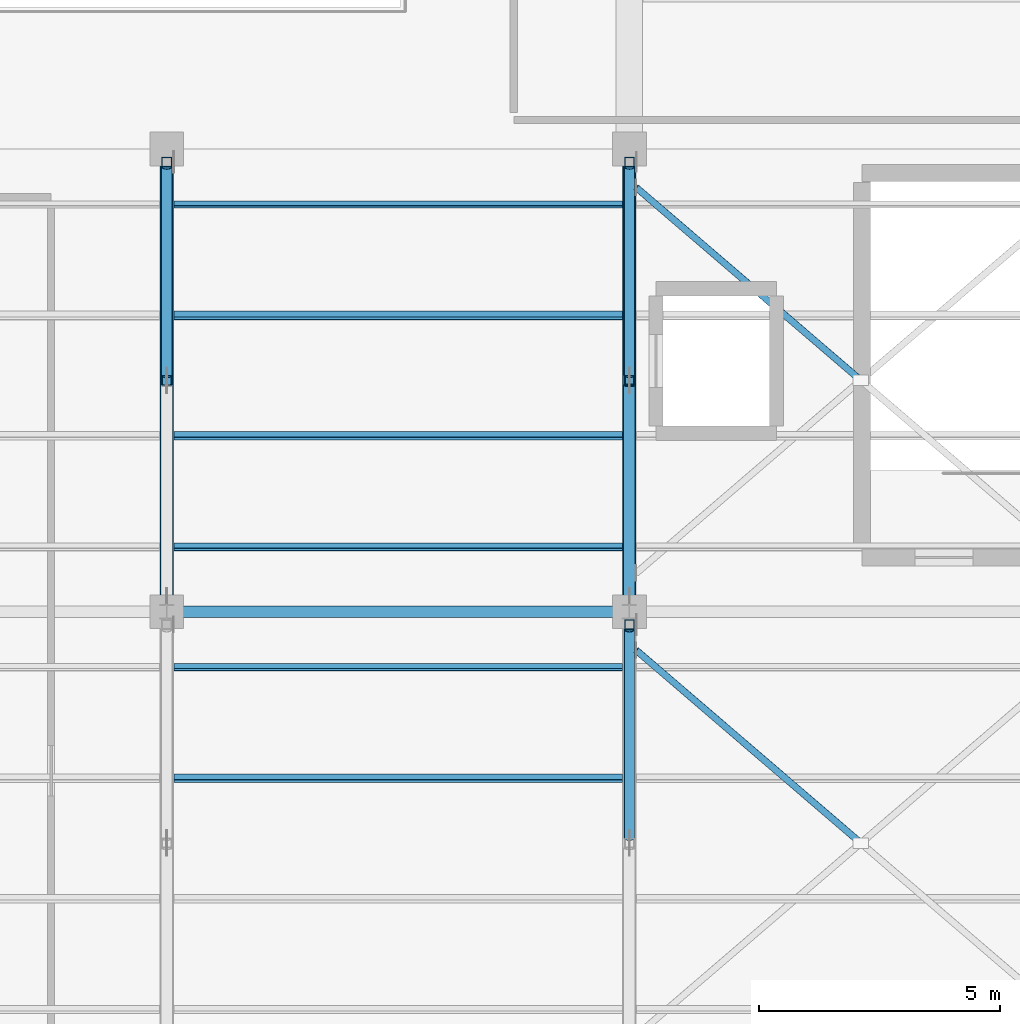
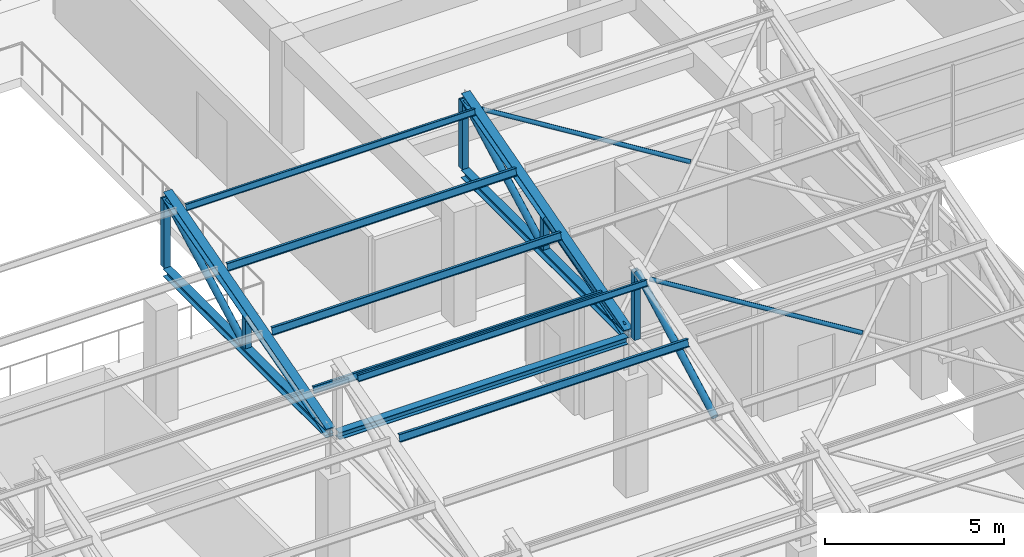
# One storey, part 24 of 71: 21 members, 1 beam.
"""IFC4 building model written with IfcOpenShell, lengths in metres."""

from ifc_helpers import new_model, si_unit, direction, frame, origin, origin_2d, place, context, subcontext, project, spatial, hollow_rectangle, hollow_circle, i_section, extrude, material, material_profile, profile_set, type_object, element, save


model = new_model("IFC4")

# Units and contexts
model_context = context("Model", 3, precision=1e-05, world=origin(), true_north=direction((0.0, 1.0)))
body_context = subcontext(model_context, "Body", "Model", "MODEL_VIEW")
ifc_project = project(units=[si_unit("LENGTHUNIT", "METRE"), si_unit("AREAUNIT", "SQUARE_METRE"), si_unit("VOLUMEUNIT", "CUBIC_METRE"), si_unit("PLANEANGLEUNIT", "RADIAN"), si_unit("MASSUNIT", "GRAM", prefix="KILO")], contexts=[model_context])

# Site, building, storey
site_placement = place(None, origin())
site = spatial("IfcSite", under=ifc_project, at=site_placement, CompositionType="ELEMENT")
building_placement = place(site_placement, origin())
building = spatial("IfcBuilding", under=site, at=building_placement, Name="Bempovik Park Faculty of Sciences", CompositionType="ELEMENT")
storey_placement = place(building_placement, frame((0.0, 0.0, 14.10009765625)))
storey = spatial("IfcBuildingStorey", under=building, at=storey_placement, Name="L03", CompositionType="ELEMENT", Elevation=14.10009765625)

# Beam
ifc_material = material(Name="Steel S355", Category="steel")
ifc_material_profile_1 = material_profile(ifc_material, i_section(OverallWidth=0.239990234375, OverallDepth=0.239990234375, WebThickness=0.010009765625, FlangeThickness=0.01708984375, at=origin_2d()), Name="HEB 240")
ifc_profile_set_1 = profile_set([ifc_material_profile_1], Name="Steel S355")
beam_type = type_object("IfcBeamType", Name="B-042 HEB 240", PredefinedType="BEAM", material=ifc_profile_set_1)
beam_placement = place(storey_placement, frame((98.550048828125, 58.199951171875, 5.14990234375), z_axis=(1.0, 0.0, 0.0), x_axis=(0.0, 1.0, 0.0)))
element("IfcBeam", 1, at=beam_placement, inside=storey, type_object=beam_type, Name="Sawtooth Valley Tie Beam V1-B5 (98.4-108.0)", PredefinedType="BEAM", context=body_context, shape_type="SweptSolid", body=[
    extrude(i_section(OverallWidth=0.239990234375, OverallDepth=0.239990234375, WebThickness=0.010009765625, FlangeThickness=0.01708984375, at=origin_2d()), origin(), (0.0, 0.0, 1.0), 9.300048828125),
])

# Members
ifc_material_profile_2 = material_profile(ifc_material, i_section(OverallWidth=0.110107421875, OverallDepth=0.219970703125, WebThickness=0.005859375, FlangeThickness=0.00927734375, at=origin_2d()), Name="IPE 220")
ifc_profile_set_2 = profile_set([ifc_material_profile_2], Name="Steel S355")
member_type_1 = type_object("IfcMemberType", Name="M-18 IPE 220", PredefinedType="PURLIN", material=ifc_profile_set_2)
member_1_placement = place(storey_placement, frame((98.5458984375, 59.5439453125, 5.847412109375), z_axis=(1.0, 0.0, 0.0), x_axis=(0.0, 0.965925826289, -0.258819045103)))
element("IfcMember", 2, at=member_1_placement, inside=storey, type_object=member_type_1, Name="Sawtooth Roof Purlin V1-B5 (98.4-108.0) #1", PredefinedType="PURLIN", context=body_context, shape_type="SweptSolid", body=[
    extrude(i_section(OverallWidth=0.110107421875, OverallDepth=0.219970703125, WebThickness=0.005859375, FlangeThickness=0.00927734375, at=origin_2d()), origin(), (0.0, 0.0, 1.0), 9.30810546875),
])
ifc_material_profile_3 = material_profile(ifc_material, hollow_circle(Radius=0.109619140625, WallThickness=0.010009765625, at=origin_2d()), Name="CHS 219.1x10")
ifc_profile_set_3 = profile_set([ifc_material_profile_3], Name="Steel S355")
member_type_2 = type_object("IfcMemberType", Name="M-22 CHS 219.1x10", PredefinedType="BRACE", material=ifc_profile_set_3)
member_2_placement = place(storey_placement, frame((108.0, 53.5048828125, 5.285888671875), z_axis=(0.0, 0.882198506662, 0.470877685651), x_axis=(-1.0, 0.0, 0.0)))
element("IfcMember", 3, at=member_2_placement, inside=storey, type_object=member_type_2, Name="Sawtooth Web Diagonal 2 V1-B4 (108.0)", PredefinedType="BRACE", context=body_context, shape_type="SweptSolid", body=[
    extrude(hollow_circle(Radius=0.109619140625, WallThickness=0.010009765625, at=origin_2d()), origin(), (0.0, 0.0, 1.0), 4.90283203125),
])
for number, where, z_axis, x_axis, name in (
    (4, (98.39990234375, 63.10498046875, 5.285888671875), (0.0, 0.882187464719, 0.470898372361), (-1.0, 0.0, 0.0), "Sawtooth Web Diagonal 2 V1-B5 (98.4)"),
    (5, (108.0, 63.10498046875, 5.285888671875), (0.0, 0.882187464719, 0.470898372361), (-1.0, 0.0, 0.0), "Sawtooth Web Diagonal 2 V1-B5 (108.0)"),
):
    element("IfcMember", number, at=place(storey_placement, frame(where, z_axis=z_axis, x_axis=x_axis)), inside=storey, type_object=member_type_2, Name=name, PredefinedType="BRACE", context=body_context, shape_type="SweptSolid", body=[
        extrude(hollow_circle(Radius=0.109619140625, WallThickness=0.010009765625, at=origin_2d()), origin(), (0.0, 0.0, 1.0), 4.902587890625),
    ])
ifc_material_profile_4 = material_profile(ifc_material, i_section(OverallWidth=0.280029296875, OverallDepth=0.280029296875, WebThickness=0.010498046875, FlangeThickness=0.01806640625, at=origin_2d()), Name="HEB 280")
ifc_profile_set_4 = profile_set([ifc_material_profile_4], Name="Steel S355")
member_type_3 = type_object("IfcMemberType", Name="M-26 HEB 280", PredefinedType="CHORD", material=ifc_profile_set_4)
for number, where, z_axis, x_axis, name in (
    (6, (98.39990234375, 58.35595703125, 5.212158203125), (0.0, 0.962201828539, 0.272337366434), (-1.0, 0.0, 0.0), "Sawtooth Top Rafter Chord V1-B5 (98.4)"),
    (7, (108.0, 58.35595703125, 5.212158203125), (0.0, 0.962201828539, 0.272337366434), (-1.0, 0.0, 0.0), "Sawtooth Top Rafter Chord V1-B5 (108.0)"),
):
    element("IfcMember", number, at=place(storey_placement, frame(where, z_axis=z_axis, x_axis=x_axis)), inside=storey, type_object=member_type_3, Name=name, PredefinedType="CHORD", context=body_context, shape_type="SweptSolid", body=[
        extrude(i_section(OverallWidth=0.280029296875, OverallDepth=0.280029296875, WebThickness=0.010498046875, FlangeThickness=0.01806640625, at=origin_2d()), origin(), (0.0, 0.0, 1.0), 9.445068359375),
    ])
ifc_material_profile_5 = material_profile(ifc_material, hollow_rectangle(XDim=0.199951171875, YDim=0.199951171875, WallThickness=0.010009765625, at=origin_2d()), Name="SHS 200x200x10")
ifc_profile_set_5 = profile_set([ifc_material_profile_5], Name="Steel S355")
member_type_4 = type_object("IfcMemberType", Name="M-44 SHS 200x200x10", PredefinedType="POST", material=ifc_profile_set_5)
for number, where, z_axis, x_axis, name in (
    (8, (108.0, 57.929931640625, 5.285888671875), (0.0, 0.0, 1.0), (1.0, 0.0, 0.0), "Sawtooth North-Light Post V1-B4 (108.0)"),
    (9, (98.39990234375, 67.530029296875, 5.285888671875), (0.0, 0.0, 1.0), (1.0, 0.0, 0.0), "Sawtooth North-Light Post V1-B5 (98.4)"),
):
    element("IfcMember", number, at=place(storey_placement, frame(where, z_axis=z_axis, x_axis=x_axis)), inside=storey, type_object=member_type_4, Name=name, PredefinedType="POST", context=body_context, shape_type="SweptSolid", body=[
        extrude(hollow_rectangle(XDim=0.199951171875, YDim=0.199951171875, WallThickness=0.010009765625, at=origin_2d()), origin(), (0.0, 0.0, 1.0), 2.30859375),
    ])
member_3_placement = place(storey_placement, frame((98.39990234375, 63.0, 5.285888671875), z_axis=(0.0, 0.0, 1.0), x_axis=(1.0, 0.0, 0.0)))
element("IfcMember", 10, at=member_3_placement, inside=storey, type_object=member_type_4, Name="Sawtooth Mid Post V1-B5 (98.4)", PredefinedType="POST", context=body_context, shape_type="SweptSolid", body=[
    extrude(hollow_rectangle(XDim=0.199951171875, YDim=0.199951171875, WallThickness=0.010009765625, at=origin_2d()), origin(), (0.0, 0.0, 1.0), 1.052490234375),
])
member_4_placement = place(storey_placement, frame((108.0, 67.530029296875, 5.285888671875), z_axis=(0.0, 0.0, 1.0), x_axis=(1.0, 0.0, 0.0)))
element("IfcMember", 11, at=member_4_placement, inside=storey, type_object=member_type_4, Name="Sawtooth North-Light Post V1-B5 (108.0)", PredefinedType="POST", context=body_context, shape_type="SweptSolid", body=[
    extrude(hollow_rectangle(XDim=0.199951171875, YDim=0.199951171875, WallThickness=0.010009765625, at=origin_2d()), origin(), (0.0, 0.0, 1.0), 2.30859375),
])
member_5_placement = place(storey_placement, frame((108.0, 63.0, 5.285888671875), z_axis=(0.0, 0.0, 1.0), x_axis=(1.0, 0.0, 0.0)))
element("IfcMember", 12, at=member_5_placement, inside=storey, type_object=member_type_4, Name="Sawtooth Mid Post V1-B5 (108.0)", PredefinedType="POST", context=body_context, shape_type="SweptSolid", body=[
    extrude(hollow_rectangle(XDim=0.199951171875, YDim=0.199951171875, WallThickness=0.010009765625, at=origin_2d()), origin(), (0.0, 0.0, 1.0), 1.052490234375),
])
ifc_material_profile_6 = material_profile(ifc_material, i_section(OverallWidth=0.10009765625, OverallDepth=0.199951171875, WebThickness=0.005615234375, FlangeThickness=0.008544921875, at=origin_2d()), Name="IPE 200")
ifc_profile_set_6 = profile_set([ifc_material_profile_6], Name="Steel S355")
member_type_5 = type_object("IfcMemberType", Name="M-48 IPE 200", PredefinedType="PURLIN", material=ifc_profile_set_6)
for number, where, z_axis, x_axis, name in (
    (13, (98.5458984375, 57.048095703125, 7.7607421875), (1.0, 0.0, 0.0), (0.0, 0.965925826289, -0.258819045103), "Sawtooth Roof Purlin V1-B4 (98.4-108.0) #4"),
    (14, (98.5458984375, 66.64794921875, 7.7607421875), (1.0, 0.0, 0.0), (0.0, 0.965925826289, -0.258819045103), "Sawtooth Roof Purlin V1-B5 (98.4-108.0) #4"),
):
    element("IfcMember", number, at=place(storey_placement, frame(where, z_axis=z_axis, x_axis=x_axis)), inside=storey, type_object=member_type_5, Name=name, PredefinedType="PURLIN", context=body_context, shape_type="SweptSolid", body=[
        extrude(i_section(OverallWidth=0.10009765625, OverallDepth=0.199951171875, WebThickness=0.005615234375, FlangeThickness=0.008544921875, at=origin_2d()), origin(), (0.0, 0.0, 1.0), 9.30810546875),
    ])
ifc_material_profile_7 = material_profile(ifc_material, i_section(OverallWidth=0.260009765625, OverallDepth=0.260009765625, WebThickness=0.010009765625, FlangeThickness=0.017578125, at=origin_2d()), Name="HEB 260")
ifc_profile_set_7 = profile_set([ifc_material_profile_7], Name="Steel S355")
member_type_6 = type_object("IfcMemberType", Name="M-58 HEB 260", PredefinedType="CHORD", material=ifc_profile_set_7)
for number, where, z_axis, x_axis, name in (
    (15, (98.39990234375, 58.35595703125, 5.14990234375), (0.0, 1.0, 0.0), (-1.0, 0.0, 0.0), "Sawtooth Bottom Chord V1-B5 (98.4)"),
    (16, (108.0, 58.35595703125, 5.14990234375), (0.0, 1.0, 0.0), (-1.0, 0.0, 0.0), "Sawtooth Bottom Chord V1-B5 (108.0)"),
):
    element("IfcMember", number, at=place(storey_placement, frame(where, z_axis=z_axis, x_axis=x_axis)), inside=storey, type_object=member_type_6, Name=name, PredefinedType="CHORD", context=body_context, shape_type="SweptSolid", body=[
        extrude(i_section(OverallWidth=0.260009765625, OverallDepth=0.260009765625, WebThickness=0.010009765625, FlangeThickness=0.017578125, at=origin_2d()), origin(), (0.0, 0.0, 1.0), 9.088134765625),
    ])
ifc_material_profile_8 = material_profile(ifc_material, hollow_circle(Radius=0.122314453125, WallThickness=0.010009765625, at=origin_2d()), Name="CHS 244.5x10")
ifc_profile_set_8 = profile_set([ifc_material_profile_8], Name="Steel S355")
member_type_7 = type_object("IfcMemberType", Name="M-82 CHS 244.5x10", PredefinedType="BRACE", material=ifc_profile_set_8)
member_6_placement = place(storey_placement, frame((108.0, 58.530029296875, 5.285888671875), z_axis=(0.0, 0.972139485331, 0.234403116576), x_axis=(-1.0, 0.0, 0.0)))
element("IfcMember", 17, at=member_6_placement, inside=storey, type_object=member_type_7, Name="Sawtooth Web Diagonal 1 V1-B5 (108.0)", PredefinedType="BRACE", context=body_context, shape_type="SweptSolid", body=[
    extrude(hollow_circle(Radius=0.122314453125, WallThickness=0.010009765625, at=origin_2d()), origin(), (0.0, 0.0, 1.0), 4.489990234375),
])
ifc_material_profile_9 = material_profile(ifc_material, hollow_circle(Radius=0.06982421875, WallThickness=0.00634765625, at=origin_2d()), Name="CHS 139.7x6.3")
ifc_profile_set_9 = profile_set([ifc_material_profile_9], Name="Steel S355")
member_type_8 = type_object("IfcMemberType", Name="M-83 CHS 139.7x6.3", PredefinedType="BRACE", material=ifc_profile_set_9)
member_7_placement = place(storey_placement, frame((108.139892578125, 57.39990234375, 7.5703125), z_axis=(0.747509216421, -0.641613401953, -0.17193665636), x_axis=(0.65131274657, 0.758809400413, 0.0)))
element("IfcMember", 18, at=member_7_placement, inside=storey, type_object=member_type_8, Name="Sawtooth Split X-Brace Half A V1-B4 (108.0-117.6)", PredefinedType="BRACE", context=body_context, shape_type="SweptSolid", body=[
    extrude(hollow_circle(Radius=0.06982421875, WallThickness=0.00634765625, at=origin_2d()), origin(), (0.0, 0.0, 1.0), 6.14404296875),
])
member_8_placement = place(storey_placement, frame((108.139892578125, 67.0, 7.5703125), z_axis=(0.747490158812, -0.641636778891, -0.171932272867), x_axis=(0.651335971051, 0.758789465408, 0.0)))
element("IfcMember", 19, at=member_8_placement, inside=storey, type_object=member_type_8, Name="Sawtooth Split X-Brace Half A V1-B5 (108.0-117.6)", PredefinedType="BRACE", context=body_context, shape_type="SweptSolid", body=[
    extrude(hollow_circle(Radius=0.06982421875, WallThickness=0.00634765625, at=origin_2d()), origin(), (0.0, 0.0, 1.0), 6.144287109375),
])
ifc_material_profile_10 = material_profile(ifc_material, i_section(OverallWidth=0.1201171875, OverallDepth=0.239990234375, WebThickness=0.006103515625, FlangeThickness=0.009765625, at=origin_2d()), Name="IPE 240")
ifc_profile_set_10 = profile_set([ifc_material_profile_10], Name="Steel S355")
member_type_9 = type_object("IfcMemberType", Name="M-86 IPE 240", PredefinedType="PURLIN", material=ifc_profile_set_10)
for number, where, z_axis, x_axis, name in (
    (20, (98.5458984375, 54.743896484375, 7.12353515625), (1.0, 0.0, 0.0), (0.0, 0.965925826289, -0.258819045103), "Sawtooth Roof Purlin V1-B4 (98.4-108.0) #3"),
    (21, (98.5458984375, 61.847900390625, 6.45458984375), (1.0, 0.0, 0.0), (0.0, 0.965925826289, -0.258819045103), "Sawtooth Roof Purlin V1-B5 (98.4-108.0) #2"),
    (22, (98.5458984375, 64.343994140625, 7.12353515625), (1.0, 0.0, 0.0), (0.0, 0.965925826289, -0.258819045103), "Sawtooth Roof Purlin V1-B5 (98.4-108.0) #3"),
):
    element("IfcMember", number, at=place(storey_placement, frame(where, z_axis=z_axis, x_axis=x_axis)), inside=storey, type_object=member_type_9, Name=name, PredefinedType="PURLIN", context=body_context, shape_type="SweptSolid", body=[
        extrude(i_section(OverallWidth=0.1201171875, OverallDepth=0.239990234375, WebThickness=0.006103515625, FlangeThickness=0.009765625, at=origin_2d()), origin(), (0.0, 0.0, 1.0), 9.30810546875),
    ])

save(model, "model.ifc")
